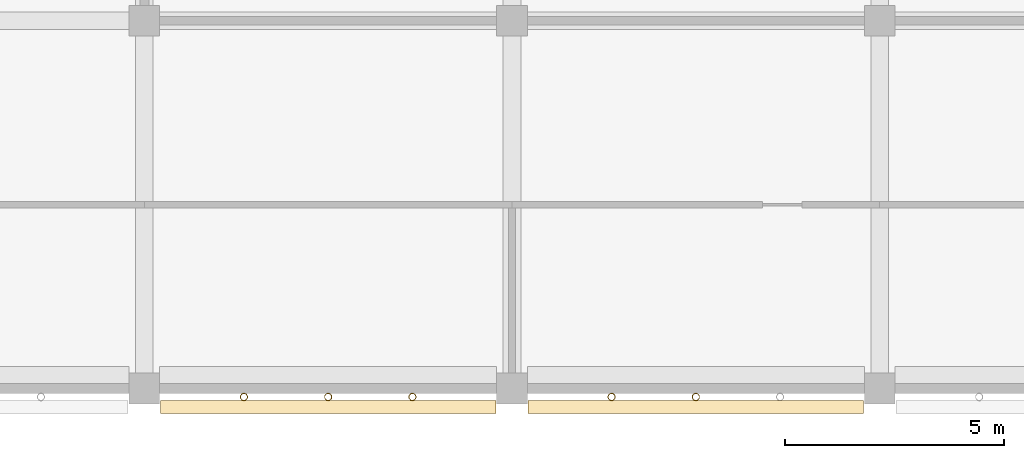
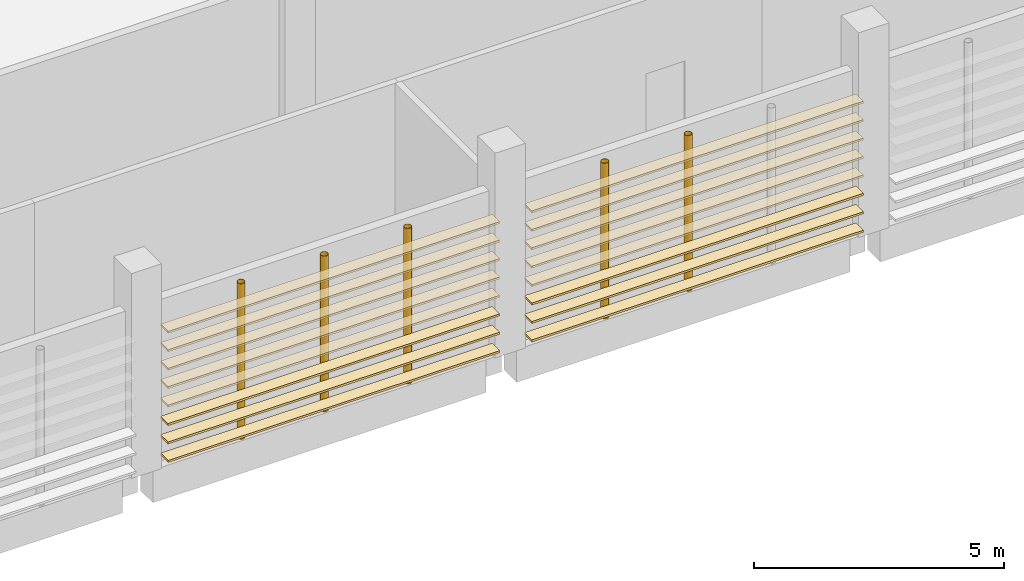
# One storey, part 45 of 82: 16 coverings, 5 shading devices.
"""IFC4 building model written with IfcOpenShell, lengths in metres."""

from ifc_helpers import new_model, si_unit, direction, frame, origin, origin_2d, place, context, subcontext, project, spatial, rectangle, hollow_circle, extrude, material, material_profile, profile_set, type_object, element, save


model = new_model("IFC4")

# Units and contexts
model_context = context("Model", 3, precision=1e-05, world=origin(), true_north=direction((0.0, 1.0)))
body_context = subcontext(model_context, "Body", "Model", "MODEL_VIEW")
ifc_project = project(units=[si_unit("LENGTHUNIT", "METRE"), si_unit("AREAUNIT", "SQUARE_METRE"), si_unit("VOLUMEUNIT", "CUBIC_METRE"), si_unit("PLANEANGLEUNIT", "RADIAN"), si_unit("MASSUNIT", "GRAM", prefix="KILO")], contexts=[model_context])

# Site, building, storey
site_placement = place(None, origin())
site = spatial("IfcSite", under=ifc_project, at=site_placement, CompositionType="ELEMENT")
building_placement = place(site_placement, origin())
building = spatial("IfcBuilding", under=site, at=building_placement, Name="Almond Square Museum", CompositionType="ELEMENT")
storey_placement = place(building_placement, frame((0.0, 0.0, 20.0)))
storey = spatial("IfcBuildingStorey", under=building, at=storey_placement, Name="L03", CompositionType="ELEMENT", Elevation=20.0)

# Shading devices
ifc_material_1 = material(Name="Structural steel S355", Category="steel")
ifc_material_profile_1 = material_profile(ifc_material_1, hollow_circle(Radius=0.084228515625, WallThickness=0.008056640625, at=origin_2d()))
ifc_profile_set_1 = profile_set([ifc_material_profile_1], Name="Structural steel S355")
shading_device_type = type_object("IfcShadingDeviceType", Name="Louvre post CHS 168.3 x 8", PredefinedType="USERDEFINED", material=ifc_profile_set_1)
for number, where, z_axis, x_axis, name in (
    (1, (25.074951171875, -0.194091796875, 0.0), (0.0, 0.0, 1.0), (1.0, 0.0, 0.0), "Louvre screen post"),
    (2, (27.0, -0.194091796875, 0.0), (0.0, 0.0, 1.0), (1.0, 0.0, 0.0), "Louvre screen post"),
    (3, (28.925048828125, -0.194091796875, 0.0), (0.0, 0.0, 1.0), (1.0, 0.0, 0.0), "Louvre screen post"),
    (4, (33.47509765625, -0.194091796875, 0.0), (0.0, 0.0, 1.0), (1.0, 0.0, 0.0), "Louvre screen post"),
    (5, (35.39990234375, -0.194091796875, 0.0), (0.0, 0.0, 1.0), (1.0, 0.0, 0.0), "Louvre screen post"),
):
    element("IfcShadingDevice", number, at=place(storey_placement, frame(where, z_axis=z_axis, x_axis=x_axis)), inside=storey, type_object=shading_device_type, Name=name, ObjectType="POST", PredefinedType="USERDEFINED", context=body_context, shape_type="SweptSolid", body=[
        extrude(hollow_circle(Radius=0.084228515625, WallThickness=0.008056640625, at=origin_2d()), origin(), (0.0, 0.0, 1.0), 3.800048828125),
    ])

# Coverings
ifc_material_2 = material(Name="Cedar timber louvre board", Category="wood")
ifc_material_profile_2 = material_profile(ifc_material_2, rectangle(XDim=0.300048828125, YDim=0.050048828125, at=origin_2d()))
ifc_profile_set_2 = profile_set([ifc_material_profile_2], Name="Cedar timber louvre board")
covering_type = type_object("IfcCoveringType", Name="Louvre screen board 300 x 50", PredefinedType="CLADDING", material=ifc_profile_set_2)
for number, where, z_axis, x_axis, name in (
    (6, (23.169921875, -0.42431640625, 0.300048828125), (1.0, 0.0, 0.0), (0.0, 1.0, 0.0), "Louvre screen board"),
    (7, (23.169921875, -0.42431640625, 0.75), (1.0, 0.0, 0.0), (0.0, 1.0, 0.0), "Louvre screen board"),
    (8, (23.169921875, -0.42431640625, 1.199951171875), (1.0, 0.0, 0.0), (0.0, 1.0, 0.0), "Louvre screen board"),
    (9, (23.169921875, -0.42431640625, 1.64990234375), (1.0, 0.0, 0.0), (0.0, 1.0, 0.0), "Louvre screen board"),
    (10, (23.169921875, -0.42431640625, 2.10009765625), (1.0, 0.0, 0.0), (0.0, 1.0, 0.0), "Louvre screen board"),
    (11, (23.169921875, -0.42431640625, 2.550048828125), (1.0, 0.0, 0.0), (0.0, 1.0, 0.0), "Louvre screen board"),
    (12, (23.169921875, -0.42431640625, 3.0), (1.0, 0.0, 0.0), (0.0, 1.0, 0.0), "Louvre screen board"),
    (13, (23.169921875, -0.42431640625, 3.449951171875), (1.0, 0.0, 0.0), (0.0, 1.0, 0.0), "Louvre screen board"),
):
    element("IfcCovering", number, at=place(storey_placement, frame(where, z_axis=z_axis, x_axis=x_axis)), inside=storey, type_object=covering_type, Name=name, PredefinedType="CLADDING", context=body_context, shape_type="SweptSolid", body=[
        extrude(rectangle(XDim=0.300048828125, YDim=0.050048828125, at=origin_2d()), origin(), (0.0, 0.0, 1.0), 7.66015625),
    ])
for number, where, z_axis, x_axis, name in (
    (14, (31.570068359375, -0.42431640625, 0.300048828125), (1.0, 0.0, 0.0), (0.0, 1.0, 0.0), "Louvre screen board"),
    (15, (31.570068359375, -0.42431640625, 0.75), (1.0, 0.0, 0.0), (0.0, 1.0, 0.0), "Louvre screen board"),
    (16, (31.570068359375, -0.42431640625, 1.199951171875), (1.0, 0.0, 0.0), (0.0, 1.0, 0.0), "Louvre screen board"),
    (17, (31.570068359375, -0.42431640625, 1.64990234375), (1.0, 0.0, 0.0), (0.0, 1.0, 0.0), "Louvre screen board"),
    (18, (31.570068359375, -0.42431640625, 2.10009765625), (1.0, 0.0, 0.0), (0.0, 1.0, 0.0), "Louvre screen board"),
    (19, (31.570068359375, -0.42431640625, 2.550048828125), (1.0, 0.0, 0.0), (0.0, 1.0, 0.0), "Louvre screen board"),
    (20, (31.570068359375, -0.42431640625, 3.0), (1.0, 0.0, 0.0), (0.0, 1.0, 0.0), "Louvre screen board"),
    (21, (31.570068359375, -0.42431640625, 3.449951171875), (1.0, 0.0, 0.0), (0.0, 1.0, 0.0), "Louvre screen board"),
):
    element("IfcCovering", number, at=place(storey_placement, frame(where, z_axis=z_axis, x_axis=x_axis)), inside=storey, type_object=covering_type, Name=name, PredefinedType="CLADDING", context=body_context, shape_type="SweptSolid", body=[
        extrude(rectangle(XDim=0.300048828125, YDim=0.050048828125, at=origin_2d()), origin(), (0.0, 0.0, 1.0), 7.659912109375),
    ])

save(model, "model.ifc")
